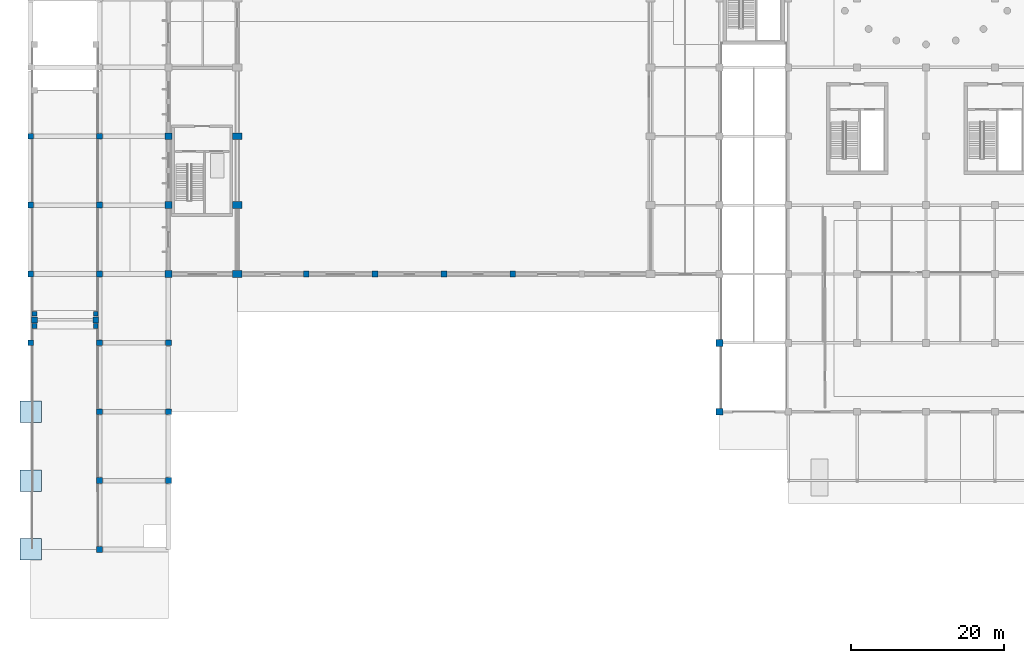
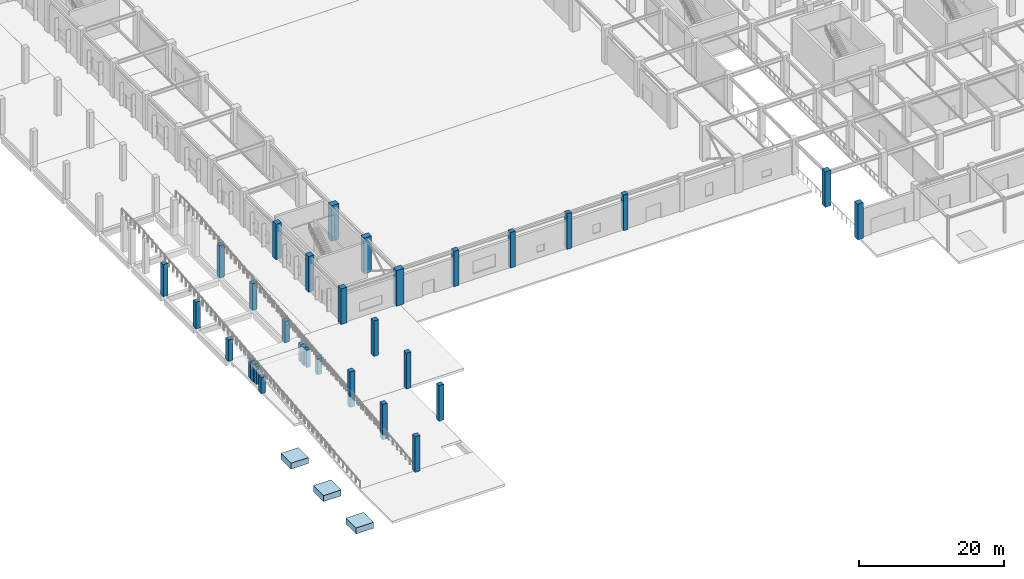
# One storey, part 1 of 91: 32 columns, 3 footings.
"""IFC4 building model written with IfcOpenShell, lengths in metres."""

import ifcopenshell
import ifcopenshell.guid

model = None  # the IFC model being written
_history = None  # IfcOwnerHistory: only IFC2X3 demands one
_inside = {}  # id of a spatial element -> (the spatial element, [elements in it])
_under = {}  # id of a project, library or spatial element -> (it, [spatial elements below it])
_declared = {}  # id of a project -> (the project, [libraries it declares])
_typed = {}  # id of a type object -> (the type object, [elements of that type])
_made_of = {}  # id of a material, layer set ... -> (it, [elements and type objects made of it])


def new_model(schema):
    """Start an empty IFC model of exactly this schema.

    Asked for "IFC4X3", IfcOpenShell would pick the latest addendum, in which some entities
    have other attributes; the version numbers below select the first issue.
    IFC2X3 requires an IfcOwnerHistory on every rooted entity: one is made here for all.
    """
    global model, _history
    if schema == "IFC4X3":
        model = ifcopenshell.file(schema_version=(4, 3, 0, 0))
    else:
        model = ifcopenshell.file(schema=schema)
    _inside.clear()
    _under.clear()
    _declared.clear()
    _typed.clear()
    _made_of.clear()
    _history = None
    if model.schema == "IFC2X3":
        org = make("IfcOrganization", Name="unknown")
        user = make(
            "IfcPersonAndOrganization",
            ThePerson=make("IfcPerson", FamilyName="unknown"),
            TheOrganization=org,
        )
        app = make(
            "IfcApplication",
            ApplicationDeveloper=org,
            Version="unknown",
            ApplicationFullName="unknown",
            ApplicationIdentifier="unknown",
        )
        _history = make(
            "IfcOwnerHistory",
            OwningUser=user,
            OwningApplication=app,
            ChangeAction="ADDED",
            CreationDate=0,
        )
    return model


def make(cls, **values):
    """One entity of the class cls with the attributes given. An attribute that is None is left unset."""
    return model.create_entity(
        cls, **{name: value for name, value in values.items() if value is not None}
    )


def rooted(cls, **values):
    """An entity with a GlobalId (a new one), such as an element, a storey or a relation."""
    return make(cls, GlobalId=ifcopenshell.guid.new(), OwnerHistory=_history, **values)


def si_unit(unit_type, name, prefix=None):
    """IfcSIUnit, for example si_unit("LENGTHUNIT", "METRE", prefix="MILLI")."""
    return make("IfcSIUnit", UnitType=unit_type, Prefix=prefix, Name=name)


def assignment(units):
    """IfcUnitAssignment: the units of a project."""
    return None if units is None else make("IfcUnitAssignment", Units=units)


def point(xyz):
    """IfcCartesianPoint."""
    return None if xyz is None else make("IfcCartesianPoint", Coordinates=xyz)


def direction(xyz):
    """IfcDirection."""
    return None if xyz is None else make("IfcDirection", DirectionRatios=xyz)


def frame(location, z_axis=None, x_axis=None):
    """IfcAxis2Placement3D, a coordinate frame: its origin and axes. An axis left out is left unset."""
    return make(
        "IfcAxis2Placement3D",
        Location=point(location),
        Axis=direction(z_axis),
        RefDirection=direction(x_axis),
    )


def frame_2d(location, x_axis=None):
    """IfcAxis2Placement2D, a coordinate frame in the plane: its origin and x axis."""
    return make(
        "IfcAxis2Placement2D", Location=point(location), RefDirection=direction(x_axis)
    )


def origin():
    """The frame at (0, 0, 0) with its axes left unset."""
    return frame((0.0, 0.0, 0.0))


def origin_2d():
    """The frame at (0, 0) in the plane with its x axis left unset."""
    return frame_2d((0.0, 0.0))


def place(relative_to, where):
    """IfcLocalPlacement: puts the frame where relative to a parent placement (None: the world)."""
    return make(
        "IfcLocalPlacement", PlacementRelTo=relative_to, RelativePlacement=where
    )


def context(
    kind, dimensions, precision=None, world=None, true_north=None, identifier=None
):
    """IfcGeometricRepresentationContext, for example the 3D "Model" context."""
    return make(
        "IfcGeometricRepresentationContext",
        ContextIdentifier=identifier,
        ContextType=kind,
        CoordinateSpaceDimension=dimensions,
        Precision=precision,
        WorldCoordinateSystem=world,
        TrueNorth=true_north,
    )


def subcontext(parent, identifier, kind, view, scale=None):
    """IfcGeometricRepresentationSubContext, for example "Body" below "Model"."""
    return make(
        "IfcGeometricRepresentationSubContext",
        ContextIdentifier=identifier,
        ContextType=kind,
        ParentContext=parent,
        TargetScale=scale,
        TargetView=view,
    )


def project(units=None, contexts=None):
    """IfcProject with its units and contexts."""
    return rooted(
        "IfcProject",
        Name="project",
        RepresentationContexts=contexts,
        UnitsInContext=assignment(units),
    )


def spatial(cls, under=None, at=None, **own):
    """A site, building, storey or space (cls), placed at a placement, below another one or the project."""
    s = rooted(cls, ObjectPlacement=at, **own)
    if under is not None:
        _under.setdefault(under.id(), (under, []))[1].append(s)
    return s


def polyline(points):
    """IfcPolyline through the points."""
    return make("IfcPolyline", Points=[point(p) for p in points])


def profile(cls, at=None, kind="AREA", **sizes):
    """A parametric profile (cls). Its sizes go by their IFC names, for example OverallWidth=200.0."""
    return make(cls, ProfileType=kind, Position=at, **sizes)


def rectangle(**sizes):
    """IfcRectangleProfileDef."""
    return profile("IfcRectangleProfileDef", **sizes)


def outline(outer, holes=None, kind="AREA"):
    """IfcArbitraryClosedProfileDef: a profile drawn as a closed curve; with holes, ...WithVoids."""
    if holes is None:
        return make("IfcArbitraryClosedProfileDef", ProfileType=kind, OuterCurve=outer)
    return make(
        "IfcArbitraryProfileDefWithVoids",
        ProfileType=kind,
        OuterCurve=outer,
        InnerCurves=holes,
    )


def extrude(swept, where, along, depth):
    """IfcExtrudedAreaSolid: the profile swept, set in the frame where, extruded along a direction by depth."""
    return make(
        "IfcExtrudedAreaSolid",
        SweptArea=swept,
        Position=where,
        ExtrudedDirection=direction(along),
        Depth=depth,
    )


def shape(context_of_items, identifier, shape_type, items):
    """IfcShapeRepresentation: the items that make up one representation, for example the "Body"."""
    return make(
        "IfcShapeRepresentation",
        ContextOfItems=context_of_items,
        RepresentationIdentifier=identifier,
        RepresentationType=shape_type,
        Items=items,
    )


def material(Name=None, Category=None):
    """IfcMaterial."""
    return make("IfcMaterial", Name=Name, Category=Category)


def layer(
    of_material, thickness, ventilated=None, Name=None, Category=None, Priority=None
):
    """IfcMaterialLayer: one layer of a wall or slab, of a material (None: an air gap)."""
    return make(
        "IfcMaterialLayer",
        Material=of_material,
        LayerThickness=thickness,
        IsVentilated=ventilated,
        Name=Name,
        Category=Category,
        Priority=Priority,
    )


def layer_set(layers, Name=None):
    """IfcMaterialLayerSet."""
    return make("IfcMaterialLayerSet", MaterialLayers=layers, LayerSetName=Name)


def material_profile(
    of_material, cross_section, Name=None, Category=None, Priority=None
):
    """IfcMaterialProfile: a cross section and its material."""
    return make(
        "IfcMaterialProfile",
        Name=Name,
        Material=of_material,
        Profile=cross_section,
        Priority=Priority,
        Category=Category,
    )


def profile_set(profiles, Name=None, composite=None):
    """IfcMaterialProfileSet."""
    return make(
        "IfcMaterialProfileSet",
        Name=Name,
        MaterialProfiles=profiles,
        CompositeProfile=composite,
    )


def made_of(thing, what):
    """Note that an element or type object is made of a material, layer set ...; save() writes the relation."""
    if what is not None:
        _made_of.setdefault(what.id(), (what, []))[1].append(thing)
    return thing


def type_object(cls, material=None, **own):
    """A type object (cls), such as IfcWallType, which elements share."""
    return made_of(rooted(cls, **own), material)


def element(
    cls,
    number,
    at=None,
    inside=None,
    cuts=None,
    type_object=None,
    material=None,
    context=None,
    identifier="Body",
    shape_type=None,
    held_by="IfcProductDefinitionShape",
    body=None,
    shapes=None,
    **own,
):
    """One element of the class cls, such as IfcWall. Its Tag is "e" and its number.

    at: its placement. inside: the storey or other place that contains it. cuts: it is an
    opening in that element (IfcRelVoidsElement). A single representation is given by context,
    identifier, shape_type and body (its items); several are given by shapes. held_by: the class
    of the entity that holds the representations. save() writes the other relations.
    """
    e = rooted(cls, Tag="e%d" % number, ObjectPlacement=at, **own)
    if body is not None:
        shapes = [shape(context, identifier, shape_type, body)]
    if shapes is not None:
        e.Representation = make(held_by, Representations=shapes)
    if inside is not None:
        _inside.setdefault(inside.id(), (inside, []))[1].append(e)
    if cuts is not None:
        rooted(
            "IfcRelVoidsElement", RelatingBuildingElement=cuts, RelatedOpeningElement=e
        )
    if type_object is not None:
        _typed.setdefault(type_object.id(), (type_object, []))[1].append(e)
    return made_of(e, material)


def aggregate(whole, parts):
    """IfcRelAggregates: a whole, such as a stair, and the parts it consists of."""
    return rooted("IfcRelAggregates", RelatingObject=whole, RelatedObjects=parts)


def save(model, path):
    """Write the relations noted so far, then the file.

    IfcRelAggregates (storeys below a building ...), IfcRelContainedInSpatialStructure (elements
    in a storey), IfcRelDefinesByType, IfcRelAssociatesMaterial and IfcRelDeclares: one each for
    every whole, place, type object, material and project.
    """
    for whole, parts in _under.values():
        aggregate(whole, parts)
    for where, things in _inside.values():
        rooted(
            "IfcRelContainedInSpatialStructure",
            RelatedElements=things,
            RelatingStructure=where,
        )
    for kind, things in _typed.values():
        rooted("IfcRelDefinesByType", RelatedObjects=things, RelatingType=kind)
    for what, things in _made_of.values():
        rooted("IfcRelAssociatesMaterial", RelatedObjects=things, RelatingMaterial=what)
    for by, libraries in _declared.values():
        rooted("IfcRelDeclares", RelatingContext=by, RelatedDefinitions=libraries)
    model.write(path)


model = new_model("IFC4")

# Units and contexts
model_context = context("Model", 3, precision=1e-05, world=origin(), true_north=direction((0.0, 1.0)))
body_context = subcontext(model_context, "Body", "Model", "MODEL_VIEW")
ifc_project = project(units=[si_unit("LENGTHUNIT", "METRE"), si_unit("AREAUNIT", "SQUARE_METRE"), si_unit("VOLUMEUNIT", "CUBIC_METRE"), si_unit("PLANEANGLEUNIT", "RADIAN"), si_unit("MASSUNIT", "GRAM", prefix="KILO")], contexts=[model_context])

# Site, building, storey
site_placement = place(None, origin())
site = spatial("IfcSite", under=ifc_project, at=site_placement, CompositionType="ELEMENT")
building_placement = place(site_placement, origin())
building = spatial("IfcBuilding", under=site, at=building_placement, Name="Dornveld Trade and Exhibition Forum", CompositionType="ELEMENT")
storey_placement = place(building_placement, origin())
storey = spatial("IfcBuildingStorey", under=building, at=storey_placement, Name="L00", CompositionType="ELEMENT", Elevation=0.0)

# Footings
ifc_material_1 = material(Name="Concrete C40/50", Category="concrete")
ifc_layer = layer(ifc_material_1, 1.0)
ifc_layer_set = layer_set([ifc_layer], Name="Concrete C40/50")
footing_type = type_object("IfcFootingType", Name="FT-PAD-VIAD", PredefinedType="PAD_FOOTING", material=ifc_layer_set)
footing_1_placement = place(storey_placement, frame((0.0, 0.0, -6.25)))
element("IfcFooting", 1, at=footing_1_placement, inside=storey, type_object=footing_type, Name="Viaduct ramp entry pad footing PAD-VRMP-1-0", PredefinedType="PAD_FOOTING", context=body_context, shape_type="SweptSolid", body=[
    extrude(outline(polyline([(-1.39990234375, -1.39990234375), (1.39990234375, -1.39990234375), (1.39990234375, 1.39990234375), (-1.39990234375, 1.39990234375), (-1.39990234375, -1.39990234375)])), origin(), (0.0, 0.0, 1.0), 1.0),
])
footing_2_placement = place(storey_placement, frame((0.0, 0.0, -6.25)))
element("IfcFooting", 2, at=footing_2_placement, inside=storey, type_object=footing_type, Name="Viaduct ramp entry pad footing PAD-VRMP-2-0", PredefinedType="PAD_FOOTING", context=body_context, shape_type="SweptSolid", body=[
    extrude(outline(polyline([(-1.39990234375, 7.60009765625), (1.39990234375, 7.60009765625), (1.39990234375, 10.39990234375), (-1.39990234375, 10.39990234375), (-1.39990234375, 7.60009765625)])), origin(), (0.0, 0.0, 1.0), 1.0),
])
footing_3_placement = place(storey_placement, frame((0.0, 0.0, -6.25)))
element("IfcFooting", 3, at=footing_3_placement, inside=storey, type_object=footing_type, Name="Viaduct ramp entry pad footing PAD-VRMP-3-0", PredefinedType="PAD_FOOTING", context=body_context, shape_type="SweptSolid", body=[
    extrude(outline(polyline([(-1.39990234375, 16.60009765625), (1.39990234375, 16.60009765625), (1.39990234375, 19.39990234375), (-1.39990234375, 19.39990234375), (-1.39990234375, 16.60009765625)])), origin(), (0.0, 0.0, 1.0), 1.0),
])

# Columns
ifc_material_2 = material(Name="Precast concrete C50/60", Category="concrete")
ifc_material_profile_1 = material_profile(ifc_material_2, rectangle(XDim=0.60009765625, YDim=0.60009765625, at=origin_2d()), Name="PC-COL 600x600")
ifc_profile_set_1 = profile_set([ifc_material_profile_1], Name="Precast concrete C50/60")
column_type_1 = type_object("IfcColumnType", Name="COL-PC600", PredefinedType="COLUMN", material=ifc_profile_set_1)
for number, where, z_axis, x_axis, name in (
    (4, (0.5, 29.199951171875, 0.0), (0.0, 0.0, 1.0), (1.0, 0.0, 0.0), "Ramp landing pier 1.1"),
    (5, (8.5, 29.199951171875, 0.0), (0.0, 0.0, 1.0), (1.0, 0.0, 0.0), "Ramp landing pier 1.2"),
    (6, (0.5, 30.800048828125, 0.0), (0.0, 0.0, 1.0), (1.0, 0.0, 0.0), "Ramp landing pier 1.3"),
    (7, (8.5, 30.800048828125, 0.0), (0.0, 0.0, 1.0), (1.0, 0.0, 0.0), "Ramp landing pier 1.4"),
):
    element("IfcColumn", number, at=place(storey_placement, frame(where, z_axis=z_axis, x_axis=x_axis)), inside=storey, type_object=column_type_1, Name=name, PredefinedType="COLUMN", context=body_context, shape_type="SweptSolid", body=[
        extrude(rectangle(XDim=0.60009765625, YDim=0.60009765625, at=origin_2d()), origin(), (0.0, 0.0, 1.0), 3.0),
    ])
ifc_material_3 = material(Name="Precast concrete C50/60", Category="concrete")
ifc_material_profile_2 = material_profile(ifc_material_3, rectangle(XDim=0.75, YDim=0.75, at=origin_2d()), Name="PC-COL 750x750")
ifc_profile_set_2 = profile_set([ifc_material_profile_2], Name="Precast concrete C50/60")
column_type_2 = type_object("IfcColumnType", Name="COL-PC750", PredefinedType="COLUMN", material=ifc_profile_set_2)
column_1_placement = place(storey_placement, frame((0.0, 27.0, 0.0), z_axis=(0.0, 0.0, 1.0), x_axis=(1.0, 0.0, 0.0)))
element("IfcColumn", 8, at=column_1_placement, inside=storey, type_object=column_type_2, Name="L00 column (0.0, 27.0)", PredefinedType="COLUMN", context=body_context, shape_type="SweptSolid", body=[
    extrude(rectangle(XDim=0.75, YDim=0.75, at=origin_2d()), origin(), (0.0, 0.0, 1.0), 2.699951171875),
])
column_2_placement = place(storey_placement, frame((0.0, 36.0, 0.0), z_axis=(0.0, 0.0, 1.0), x_axis=(1.0, 0.0, 0.0)))
element("IfcColumn", 9, at=column_2_placement, inside=storey, type_object=column_type_2, Name="L00 column (0.0, 36.0)", PredefinedType="COLUMN", context=body_context, shape_type="SweptSolid", body=[
    extrude(rectangle(XDim=0.75, YDim=0.75, at=origin_2d()), origin(), (0.0, 0.0, 1.0), 3.60009765625),
])
column_3_placement = place(storey_placement, frame((0.0, 45.0, 0.0), z_axis=(0.0, 0.0, 1.0), x_axis=(1.0, 0.0, 0.0)))
element("IfcColumn", 10, at=column_3_placement, inside=storey, type_object=column_type_2, Name="L00 column (0.0, 45.0)", PredefinedType="COLUMN", context=body_context, shape_type="SweptSolid", body=[
    extrude(rectangle(XDim=0.75, YDim=0.75, at=origin_2d()), origin(), (0.0, 0.0, 1.0), 4.5),
])
column_4_placement = place(storey_placement, frame((0.0, 54.0, 0.0), z_axis=(0.0, 0.0, 1.0), x_axis=(1.0, 0.0, 0.0)))
element("IfcColumn", 11, at=column_4_placement, inside=storey, type_object=column_type_2, Name="L00 column (0.0, 54.0)", PredefinedType="COLUMN", context=body_context, shape_type="SweptSolid", body=[
    extrude(rectangle(XDim=0.75, YDim=0.75, at=origin_2d()), origin(), (0.0, 0.0, 1.0), 5.39990234375),
])
for number, where, z_axis, x_axis, name in (
    (12, (9.0, 0.0, 0.0), (0.0, 0.0, 1.0), (1.0, 0.0, 0.0), "L00 column (9.0, 0.0)"),
    (13, (9.0, 9.0, 0.0), (0.0, 0.0, 1.0), (1.0, 0.0, 0.0), "L00 column (9.0, 9.0)"),
    (14, (9.0, 18.0, 0.0), (0.0, 0.0, 1.0), (1.0, 0.0, 0.0), "L00 column (9.0, 18.0)"),
):
    element("IfcColumn", number, at=place(storey_placement, frame(where, z_axis=z_axis, x_axis=x_axis)), inside=storey, type_object=column_type_2, Name=name, PredefinedType="COLUMN", context=body_context, shape_type="SweptSolid", body=[
        extrude(rectangle(XDim=0.75, YDim=0.75, at=origin_2d()), origin(), (0.0, 0.0, 1.0), 6.0),
    ])
column_5_placement = place(storey_placement, frame((9.0, 27.0, 0.0), z_axis=(0.0, 0.0, 1.0), x_axis=(1.0, 0.0, 0.0)))
element("IfcColumn", 15, at=column_5_placement, inside=storey, type_object=column_type_2, Name="L00 column (9.0, 27.0)", PredefinedType="COLUMN", context=body_context, shape_type="SweptSolid", body=[
    extrude(rectangle(XDim=0.75, YDim=0.75, at=origin_2d()), origin(), (0.0, 0.0, 1.0), 2.699951171875),
])
column_6_placement = place(storey_placement, frame((9.0, 36.0, 0.0), z_axis=(0.0, 0.0, 1.0), x_axis=(1.0, 0.0, 0.0)))
element("IfcColumn", 16, at=column_6_placement, inside=storey, type_object=column_type_2, Name="L00 column (9.0, 36.0)", PredefinedType="COLUMN", context=body_context, shape_type="SweptSolid", body=[
    extrude(rectangle(XDim=0.75, YDim=0.75, at=origin_2d()), origin(), (0.0, 0.0, 1.0), 3.60009765625),
])
column_7_placement = place(storey_placement, frame((9.0, 45.0, 0.0), z_axis=(0.0, 0.0, 1.0), x_axis=(1.0, 0.0, 0.0)))
element("IfcColumn", 17, at=column_7_placement, inside=storey, type_object=column_type_2, Name="L00 column (9.0, 45.0)", PredefinedType="COLUMN", context=body_context, shape_type="SweptSolid", body=[
    extrude(rectangle(XDim=0.75, YDim=0.75, at=origin_2d()), origin(), (0.0, 0.0, 1.0), 4.5),
])
column_8_placement = place(storey_placement, frame((9.0, 54.0, 0.0), z_axis=(0.0, 0.0, 1.0), x_axis=(1.0, 0.0, 0.0)))
element("IfcColumn", 18, at=column_8_placement, inside=storey, type_object=column_type_2, Name="L00 column (9.0, 54.0)", PredefinedType="COLUMN", context=body_context, shape_type="SweptSolid", body=[
    extrude(rectangle(XDim=0.75, YDim=0.75, at=origin_2d()), origin(), (0.0, 0.0, 1.0), 5.39990234375),
])
for number, where, z_axis, x_axis, name in (
    (19, (18.0, 9.0, 0.0), (0.0, 0.0, 1.0), (1.0, 0.0, 0.0), "L00 column (18.0, 9.0)"),
    (20, (18.0, 18.0, 0.0), (0.0, 0.0, 1.0), (1.0, 0.0, 0.0), "L00 column (18.0, 18.0)"),
    (21, (18.0, 27.0, 0.0), (0.0, 0.0, 1.0), (1.0, 0.0, 0.0), "L00 column (18.0, 27.0)"),
):
    element("IfcColumn", number, at=place(storey_placement, frame(where, z_axis=z_axis, x_axis=x_axis)), inside=storey, type_object=column_type_2, Name=name, PredefinedType="COLUMN", context=body_context, shape_type="SweptSolid", body=[
        extrude(rectangle(XDim=0.75, YDim=0.75, at=origin_2d()), origin(), (0.0, 0.0, 1.0), 6.0),
    ])
for number, where, z_axis, x_axis, name in (
    (22, (0.5, 30.0, 0.0), (0.0, 0.0, 1.0), (1.0, 0.0, 0.0), "Ramp support pier 1"),
    (23, (8.5, 30.0, 0.0), (0.0, 0.0, 1.0), (1.0, 0.0, 0.0), "Ramp support pier 2"),
):
    element("IfcColumn", number, at=place(storey_placement, frame(where, z_axis=z_axis, x_axis=x_axis)), inside=storey, type_object=column_type_2, Name=name, PredefinedType="COLUMN", context=body_context, shape_type="SweptSolid", body=[
        extrude(rectangle(XDim=0.75, YDim=0.75, at=origin_2d()), origin(), (0.0, 0.0, 1.0), 3.0),
    ])
ifc_material_4 = material(Name="Precast concrete C50/60", Category="concrete")
ifc_material_profile_3 = material_profile(ifc_material_4, rectangle(XDim=0.89990234375, YDim=0.89990234375, at=origin_2d()), Name="PC-COL 900x900")
ifc_profile_set_3 = profile_set([ifc_material_profile_3], Name="Precast concrete C50/60")
column_type_3 = type_object("IfcColumnType", Name="COL-PC900", PredefinedType="COLUMN", material=ifc_profile_set_3)
for number, where, z_axis, x_axis, name in (
    (24, (18.0, 36.0, 0.0), (0.0, 0.0, 1.0), (1.0, 0.0, 0.0), "L00 column (18.0, 36.0)"),
    (25, (18.0, 45.0, 0.0), (0.0, 0.0, 1.0), (1.0, 0.0, 0.0), "L00 column (18.0, 45.0)"),
    (26, (18.0, 54.0, 0.0), (0.0, 0.0, 1.0), (1.0, 0.0, 0.0), "L00 column (18.0, 54.0)"),
    (27, (90.0, 18.0, 0.0), (0.0, 0.0, 1.0), (1.0, 0.0, 0.0), "L00 column (90.0, 18.0)"),
    (28, (90.0, 27.0, 0.0), (0.0, 0.0, 1.0), (1.0, 0.0, 0.0), "L00 column (90.0, 27.0)"),
):
    element("IfcColumn", number, at=place(storey_placement, frame(where, z_axis=z_axis, x_axis=x_axis)), inside=storey, type_object=column_type_3, Name=name, PredefinedType="COLUMN", context=body_context, shape_type="SweptSolid", body=[
        extrude(rectangle(XDim=0.89990234375, YDim=0.89990234375, at=origin_2d()), origin(), (0.0, 0.0, 1.0), 6.0),
    ])
ifc_material_5 = material(Name="Precast concrete C50/60", Category="concrete")
ifc_material_profile_4 = material_profile(ifc_material_5, rectangle(XDim=1.199951171875, YDim=0.89990234375, at=origin_2d()), Name="PC-PIER 1200x900")
ifc_profile_set_4 = profile_set([ifc_material_profile_4], Name="Precast concrete C50/60")
column_type_4 = type_object("IfcColumnType", Name="COL-PIER1200", PredefinedType="COLUMN", material=ifc_profile_set_4)
for number, where, z_axis, x_axis, name in (
    (29, (27.0, 36.0, 0.0), (0.0, 0.0, 1.0), (1.0, 0.0, 0.0), "L00 column (27.0, 36.0)"),
    (30, (27.0, 45.0, 0.0), (0.0, 0.0, 1.0), (1.0, 0.0, 0.0), "L00 column (27.0, 45.0)"),
    (31, (27.0, 54.0, 0.0), (0.0, 0.0, 1.0), (1.0, 0.0, 0.0), "L00 column (27.0, 54.0)"),
):
    element("IfcColumn", number, at=place(storey_placement, frame(where, z_axis=z_axis, x_axis=x_axis)), inside=storey, type_object=column_type_4, Name=name, PredefinedType="COLUMN", context=body_context, shape_type="SweptSolid", body=[
        extrude(rectangle(XDim=1.199951171875, YDim=0.89990234375, at=origin_2d()), origin(), (0.0, 0.0, 1.0), 6.0),
    ])
ifc_material_6 = material(Name="Precast concrete C50/60", Category="concrete")
ifc_material_profile_5 = material_profile(ifc_material_6, rectangle(XDim=0.75, YDim=0.75, at=origin_2d()), Name="PC-COL 750x750")
ifc_profile_set_5 = profile_set([ifc_material_profile_5], Name="Precast concrete C50/60")
column_type_5 = type_object("IfcColumnType", Name="COL-PILASTER750", PredefinedType="PILASTER", material=ifc_profile_set_5)
for number, where, z_axis, x_axis, name in (
    (32, (36.0, 36.0, 0.0), (0.0, 0.0, 1.0), (1.0, 0.0, 0.0), "L00 column (36.0, 36.0)"),
    (33, (45.0, 36.0, 0.0), (0.0, 0.0, 1.0), (1.0, 0.0, 0.0), "L00 column (45.0, 36.0)"),
    (34, (54.0, 36.0, 0.0), (0.0, 0.0, 1.0), (1.0, 0.0, 0.0), "L00 column (54.0, 36.0)"),
    (35, (63.0, 36.0, 0.0), (0.0, 0.0, 1.0), (1.0, 0.0, 0.0), "L00 column (63.0, 36.0)"),
):
    element("IfcColumn", number, at=place(storey_placement, frame(where, z_axis=z_axis, x_axis=x_axis)), inside=storey, type_object=column_type_5, Name=name, PredefinedType="PILASTER", context=body_context, shape_type="SweptSolid", body=[
        extrude(rectangle(XDim=0.75, YDim=0.75, at=origin_2d()), origin(), (0.0, 0.0, 1.0), 6.0),
    ])

save(model, "model.ifc")
